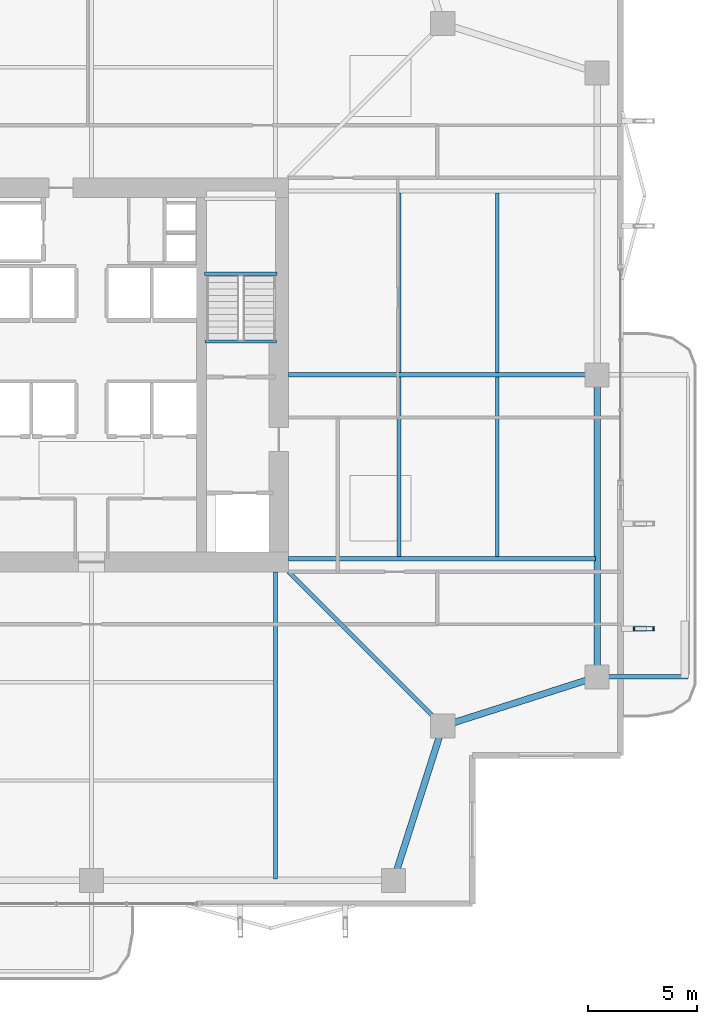
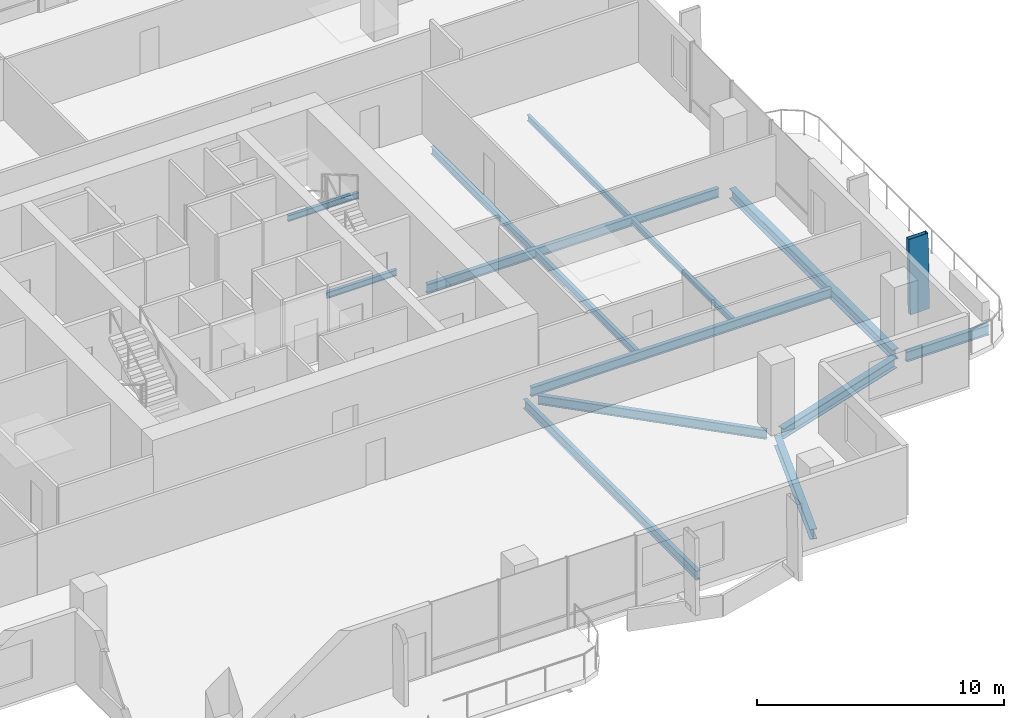
# One storey, part 9 of 25: 14 beams, 1 member.
"""IFC4 building model written with IfcOpenShell, lengths in metres."""

import ifcopenshell
import ifcopenshell.guid

model = None  # the IFC model being written
_history = None  # IfcOwnerHistory: only IFC2X3 demands one
_inside = {}  # id of a spatial element -> (the spatial element, [elements in it])
_under = {}  # id of a project, library or spatial element -> (it, [spatial elements below it])
_declared = {}  # id of a project -> (the project, [libraries it declares])
_typed = {}  # id of a type object -> (the type object, [elements of that type])
_made_of = {}  # id of a material, layer set ... -> (it, [elements and type objects made of it])


def new_model(schema):
    """Start an empty IFC model of exactly this schema.

    Asked for "IFC4X3", IfcOpenShell would pick the latest addendum, in which some entities
    have other attributes; the version numbers below select the first issue.
    IFC2X3 requires an IfcOwnerHistory on every rooted entity: one is made here for all.
    """
    global model, _history
    if schema == "IFC4X3":
        model = ifcopenshell.file(schema_version=(4, 3, 0, 0))
    else:
        model = ifcopenshell.file(schema=schema)
    _inside.clear()
    _under.clear()
    _declared.clear()
    _typed.clear()
    _made_of.clear()
    _history = None
    if model.schema == "IFC2X3":
        org = make("IfcOrganization", Name="unknown")
        user = make(
            "IfcPersonAndOrganization",
            ThePerson=make("IfcPerson", FamilyName="unknown"),
            TheOrganization=org,
        )
        app = make(
            "IfcApplication",
            ApplicationDeveloper=org,
            Version="unknown",
            ApplicationFullName="unknown",
            ApplicationIdentifier="unknown",
        )
        _history = make(
            "IfcOwnerHistory",
            OwningUser=user,
            OwningApplication=app,
            ChangeAction="ADDED",
            CreationDate=0,
        )
    return model


def make(cls, **values):
    """One entity of the class cls with the attributes given. An attribute that is None is left unset."""
    return model.create_entity(
        cls, **{name: value for name, value in values.items() if value is not None}
    )


def rooted(cls, **values):
    """An entity with a GlobalId (a new one), such as an element, a storey or a relation."""
    return make(cls, GlobalId=ifcopenshell.guid.new(), OwnerHistory=_history, **values)


def si_unit(unit_type, name, prefix=None):
    """IfcSIUnit, for example si_unit("LENGTHUNIT", "METRE", prefix="MILLI")."""
    return make("IfcSIUnit", UnitType=unit_type, Prefix=prefix, Name=name)


def assignment(units):
    """IfcUnitAssignment: the units of a project."""
    return None if units is None else make("IfcUnitAssignment", Units=units)


def point(xyz):
    """IfcCartesianPoint."""
    return None if xyz is None else make("IfcCartesianPoint", Coordinates=xyz)


def direction(xyz):
    """IfcDirection."""
    return None if xyz is None else make("IfcDirection", DirectionRatios=xyz)


def frame(location, z_axis=None, x_axis=None):
    """IfcAxis2Placement3D, a coordinate frame: its origin and axes. An axis left out is left unset."""
    return make(
        "IfcAxis2Placement3D",
        Location=point(location),
        Axis=direction(z_axis),
        RefDirection=direction(x_axis),
    )


def frame_2d(location, x_axis=None):
    """IfcAxis2Placement2D, a coordinate frame in the plane: its origin and x axis."""
    return make(
        "IfcAxis2Placement2D", Location=point(location), RefDirection=direction(x_axis)
    )


def origin():
    """The frame at (0, 0, 0) with its axes left unset."""
    return frame((0.0, 0.0, 0.0))


def origin_2d():
    """The frame at (0, 0) in the plane with its x axis left unset."""
    return frame_2d((0.0, 0.0))


def place(relative_to, where):
    """IfcLocalPlacement: puts the frame where relative to a parent placement (None: the world)."""
    return make(
        "IfcLocalPlacement", PlacementRelTo=relative_to, RelativePlacement=where
    )


def context(
    kind, dimensions, precision=None, world=None, true_north=None, identifier=None
):
    """IfcGeometricRepresentationContext, for example the 3D "Model" context."""
    return make(
        "IfcGeometricRepresentationContext",
        ContextIdentifier=identifier,
        ContextType=kind,
        CoordinateSpaceDimension=dimensions,
        Precision=precision,
        WorldCoordinateSystem=world,
        TrueNorth=true_north,
    )


def subcontext(parent, identifier, kind, view, scale=None):
    """IfcGeometricRepresentationSubContext, for example "Body" below "Model"."""
    return make(
        "IfcGeometricRepresentationSubContext",
        ContextIdentifier=identifier,
        ContextType=kind,
        ParentContext=parent,
        TargetScale=scale,
        TargetView=view,
    )


def project(units=None, contexts=None):
    """IfcProject with its units and contexts."""
    return rooted(
        "IfcProject",
        Name="project",
        RepresentationContexts=contexts,
        UnitsInContext=assignment(units),
    )


def spatial(cls, under=None, at=None, **own):
    """A site, building, storey or space (cls), placed at a placement, below another one or the project."""
    s = rooted(cls, ObjectPlacement=at, **own)
    if under is not None:
        _under.setdefault(under.id(), (under, []))[1].append(s)
    return s


def profile(cls, at=None, kind="AREA", **sizes):
    """A parametric profile (cls). Its sizes go by their IFC names, for example OverallWidth=200.0."""
    return make(cls, ProfileType=kind, Position=at, **sizes)


def hollow_rectangle(**sizes):
    """IfcRectangleHollowProfileDef."""
    return profile("IfcRectangleHollowProfileDef", **sizes)


def i_section(**sizes):
    """IfcIShapeProfileDef."""
    return profile("IfcIShapeProfileDef", **sizes)


def extrude(swept, where, along, depth):
    """IfcExtrudedAreaSolid: the profile swept, set in the frame where, extruded along a direction by depth."""
    return make(
        "IfcExtrudedAreaSolid",
        SweptArea=swept,
        Position=where,
        ExtrudedDirection=direction(along),
        Depth=depth,
    )


def shape(context_of_items, identifier, shape_type, items):
    """IfcShapeRepresentation: the items that make up one representation, for example the "Body"."""
    return make(
        "IfcShapeRepresentation",
        ContextOfItems=context_of_items,
        RepresentationIdentifier=identifier,
        RepresentationType=shape_type,
        Items=items,
    )


def material(Name=None, Category=None):
    """IfcMaterial."""
    return make("IfcMaterial", Name=Name, Category=Category)


def material_profile(
    of_material, cross_section, Name=None, Category=None, Priority=None
):
    """IfcMaterialProfile: a cross section and its material."""
    return make(
        "IfcMaterialProfile",
        Name=Name,
        Material=of_material,
        Profile=cross_section,
        Priority=Priority,
        Category=Category,
    )


def profile_set(profiles, Name=None, composite=None):
    """IfcMaterialProfileSet."""
    return make(
        "IfcMaterialProfileSet",
        Name=Name,
        MaterialProfiles=profiles,
        CompositeProfile=composite,
    )


def made_of(thing, what):
    """Note that an element or type object is made of a material, layer set ...; save() writes the relation."""
    if what is not None:
        _made_of.setdefault(what.id(), (what, []))[1].append(thing)
    return thing


def type_object(cls, material=None, **own):
    """A type object (cls), such as IfcWallType, which elements share."""
    return made_of(rooted(cls, **own), material)


def element(
    cls,
    number,
    at=None,
    inside=None,
    cuts=None,
    type_object=None,
    material=None,
    context=None,
    identifier="Body",
    shape_type=None,
    held_by="IfcProductDefinitionShape",
    body=None,
    shapes=None,
    **own,
):
    """One element of the class cls, such as IfcWall. Its Tag is "e" and its number.

    at: its placement. inside: the storey or other place that contains it. cuts: it is an
    opening in that element (IfcRelVoidsElement). A single representation is given by context,
    identifier, shape_type and body (its items); several are given by shapes. held_by: the class
    of the entity that holds the representations. save() writes the other relations.
    """
    e = rooted(cls, Tag="e%d" % number, ObjectPlacement=at, **own)
    if body is not None:
        shapes = [shape(context, identifier, shape_type, body)]
    if shapes is not None:
        e.Representation = make(held_by, Representations=shapes)
    if inside is not None:
        _inside.setdefault(inside.id(), (inside, []))[1].append(e)
    if cuts is not None:
        rooted(
            "IfcRelVoidsElement", RelatingBuildingElement=cuts, RelatedOpeningElement=e
        )
    if type_object is not None:
        _typed.setdefault(type_object.id(), (type_object, []))[1].append(e)
    return made_of(e, material)


def aggregate(whole, parts):
    """IfcRelAggregates: a whole, such as a stair, and the parts it consists of."""
    return rooted("IfcRelAggregates", RelatingObject=whole, RelatedObjects=parts)


def save(model, path):
    """Write the relations noted so far, then the file.

    IfcRelAggregates (storeys below a building ...), IfcRelContainedInSpatialStructure (elements
    in a storey), IfcRelDefinesByType, IfcRelAssociatesMaterial and IfcRelDeclares: one each for
    every whole, place, type object, material and project.
    """
    for whole, parts in _under.values():
        aggregate(whole, parts)
    for where, things in _inside.values():
        rooted(
            "IfcRelContainedInSpatialStructure",
            RelatedElements=things,
            RelatingStructure=where,
        )
    for kind, things in _typed.values():
        rooted("IfcRelDefinesByType", RelatedObjects=things, RelatingType=kind)
    for what, things in _made_of.values():
        rooted("IfcRelAssociatesMaterial", RelatedObjects=things, RelatingMaterial=what)
    for by, libraries in _declared.values():
        rooted("IfcRelDeclares", RelatingContext=by, RelatedDefinitions=libraries)
    model.write(path)


model = new_model("IFC4")

# Units and contexts
model_context = context("Model", 3, precision=1e-05, world=origin(), true_north=direction((0.0, 1.0)))
body_context = subcontext(model_context, "Body", "Model", "MODEL_VIEW")
ifc_project = project(units=[si_unit("LENGTHUNIT", "METRE"), si_unit("AREAUNIT", "SQUARE_METRE"), si_unit("VOLUMEUNIT", "CUBIC_METRE"), si_unit("PLANEANGLEUNIT", "RADIAN"), si_unit("MASSUNIT", "GRAM", prefix="KILO")], contexts=[model_context])

# Site, building, storey
site_placement = place(None, origin())
site = spatial("IfcSite", under=ifc_project, at=site_placement, CompositionType="ELEMENT")
building_placement = place(site_placement, origin())
building = spatial("IfcBuilding", under=site, at=building_placement, Name="Belovzor Exchange Tower", CompositionType="ELEMENT")
storey_placement = place(building_placement, frame((0.0, 0.0, 172.050048828125)))
storey = spatial("IfcBuildingStorey", under=building, at=storey_placement, Name="L42", CompositionType="ELEMENT", Elevation=172.050048828125)

# Beams
ifc_material_1 = material(Name="Steel S355", Category="steel")
ifc_material_profile_1 = material_profile(ifc_material_1, i_section(OverallWidth=0.199951171875, OverallDepth=0.5, WebThickness=0.01025390625, FlangeThickness=0.01611328125, at=origin_2d()))
ifc_profile_set_1 = profile_set([ifc_material_profile_1], Name="Steel S355")
beam_type_1 = type_object("IfcBeamType", Name="Planted Balcony Cantilever Beam IPE 500", PredefinedType="BEAM", material=ifc_profile_set_1)
beam_1_placement = place(storey_placement, frame((52.202880859375, 15.0, -0.505126953125), z_axis=(1.0, 0.0, 0.0), x_axis=(0.0, 1.0, 0.0)))
element("IfcBeam", 1, at=beam_1_placement, inside=storey, type_object=beam_type_1, Name="BC-500 Planted Balcony Cantilever Beam IPE 500", PredefinedType="BEAM", context=body_context, shape_type="SweptSolid", body=[
    extrude(i_section(OverallWidth=0.199951171875, OverallDepth=0.5, WebThickness=0.01025390625, FlangeThickness=0.01611328125, at=origin_2d()), origin(), (0.0, 0.0, 1.0), 3.85009765625),
])
ifc_material_2 = material(Name="Steel S355", Category="steel")
ifc_material_profile_2 = material_profile(ifc_material_2, i_section(OverallWidth=0.169921875, OverallDepth=0.360107421875, WebThickness=0.008056640625, FlangeThickness=0.0126953125, at=origin_2d()))
ifc_profile_set_2 = profile_set([ifc_material_profile_2], Name="Steel S355")
beam_type_2 = type_object("IfcBeamType", Name="Secondary Infill Floor Joist IPE 360", PredefinedType="BEAM", material=ifc_profile_set_2)
for number, where, z_axis, x_axis, name in (
    (2, (42.84912109375, 20.4951171875, -0.43505859375), (0.0, 1.0, 0.0), (-1.0, 0.0, 0.0), "FJ-360 Secondary Infill Floor Joist IPE 360"),
    (3, (42.84912109375, 28.89501953125, -0.43505859375), (0.0, 1.0, 0.0), (-1.0, 0.0, 0.0), "FJ-360 Secondary Infill Floor Joist IPE 360"),
):
    element("IfcBeam", number, at=place(storey_placement, frame(where, z_axis=z_axis, x_axis=x_axis)), inside=storey, type_object=beam_type_2, Name=name, PredefinedType="BEAM", context=body_context, shape_type="SweptSolid", body=[
        extrude(i_section(OverallWidth=0.169921875, OverallDepth=0.360107421875, WebThickness=0.008056640625, FlangeThickness=0.0126953125, at=origin_2d()), origin(), (0.0, 0.0, 1.0), 8.2099609375),
    ])
ifc_material_3 = material(Name="Steel S355", Category="steel")
ifc_material_profile_3 = material_profile(ifc_material_3, i_section(OverallWidth=0.14990234375, OverallDepth=0.300048828125, WebThickness=0.007080078125, FlangeThickness=0.0107421875, at=origin_2d()))
ifc_profile_set_3 = profile_set([ifc_material_profile_3], Name="Steel S355")
beam_type_3 = type_object("IfcBeamType", Name="Secondary Trim Floor Joist IPE 300", PredefinedType="BEAM", material=ifc_profile_set_3)
beam_2_placement = place(storey_placement, frame((37.280029296875, 33.419921875, 1.52490234375), z_axis=(-1.0, 0.0, 0.0), x_axis=(0.0, -1.0, 0.0)))
element("IfcBeam", 4, at=beam_2_placement, inside=storey, type_object=beam_type_3, Name="FJ-300 Secondary Trim Floor Joist IPE 300", PredefinedType="BEAM", context=body_context, shape_type="SweptSolid", body=[
    extrude(i_section(OverallWidth=0.14990234375, OverallDepth=0.300048828125, WebThickness=0.007080078125, FlangeThickness=0.0107421875, at=origin_2d()), origin(), (0.0, 0.0, 1.0), 3.31005859375),
])
beam_3_placement = place(storey_placement, frame((37.260009765625, 30.320068359375, -0.405029296875), z_axis=(-1.0, 0.0, 0.0), x_axis=(0.0, -1.0, 0.0)))
element("IfcBeam", 5, at=beam_3_placement, inside=storey, type_object=beam_type_3, Name="FJ-300 Secondary Trim Floor Joist IPE 300", PredefinedType="BEAM", context=body_context, shape_type="SweptSolid", body=[
    extrude(i_section(OverallWidth=0.14990234375, OverallDepth=0.300048828125, WebThickness=0.007080078125, FlangeThickness=0.0107421875, at=origin_2d()), origin(), (0.0, 0.0, 1.0), 3.27001953125),
])
for number, where, z_axis, x_axis, name in (
    (6, (47.3369140625, 20.4951171875, -0.405029296875), (0.0, 1.0, 0.0), (-1.0, 0.0, 0.0), "FJ-300 Secondary Trim Floor Joist IPE 300"),
    (7, (47.3369140625, 28.89501953125, -0.405029296875), (0.0, 1.0, 0.0), (-1.0, 0.0, 0.0), "FJ-300 Secondary Trim Floor Joist IPE 300"),
):
    element("IfcBeam", number, at=place(storey_placement, frame(where, z_axis=z_axis, x_axis=x_axis)), inside=storey, type_object=beam_type_3, Name=name, PredefinedType="BEAM", context=body_context, shape_type="SweptSolid", body=[
        extrude(i_section(OverallWidth=0.14990234375, OverallDepth=0.300048828125, WebThickness=0.007080078125, FlangeThickness=0.0107421875, at=origin_2d()), origin(), (0.0, 0.0, 1.0), 8.2099609375),
    ])

# Member
ifc_material_4 = material(Name="Extruded Architectural Terracotta on Steel S355 Carrier", Category="masonry")
ifc_material_profile_4 = material_profile(ifc_material_4, hollow_rectangle(XDim=0.199951171875, YDim=0.89990234375, WallThickness=0.011962890625, at=origin_2d()))
ifc_profile_set_4 = profile_set([ifc_material_profile_4], Name="Extruded Architectural Terracotta on Steel S355 Carrier")
member_type = type_object("IfcMemberType", Name="Sweeping Terracotta Baguette Fin Assembly 1250", PredefinedType="USERDEFINED", material=ifc_profile_set_4)
member_placement = place(storey_placement, frame((54.0810546875, 17.199951171875, -0.255126953125), z_axis=(-0.018681635002, 0.0, 0.999825483029), x_axis=(0.0, -1.0, 0.0)))
element("IfcMember", 8, at=member_placement, inside=storey, type_object=member_type, Name="FIN-TC125 Terracotta Facade Fin L42 E1", ObjectType="FIN", PredefinedType="USERDEFINED", context=body_context, shape_type="SweptSolid", body=[
    extrude(hollow_rectangle(XDim=0.199951171875, YDim=0.89990234375, WallThickness=0.011962890625, at=origin_2d()), origin(), (0.0, 0.0, 1.0), 3.750732421875),
])

# Beams
ifc_material_5 = material(Name="Steel S355", Category="steel")
ifc_material_profile_5 = material_profile(ifc_material_5, i_section(OverallWidth=0.18994140625, OverallDepth=0.449951171875, WebThickness=0.009521484375, FlangeThickness=0.0146484375, at=origin_2d()))
ifc_profile_set_5 = profile_set([ifc_material_profile_5], Name="Steel S355")
beam_type_4 = type_object("IfcBeamType", Name="Zone 2-4 Radial Composite Floor Beam IPE 450", PredefinedType="BEAM", material=ifc_profile_set_5)
beam_4_placement = place(storey_placement, frame((37.199951171875, 19.800048828125, -0.47998046875), z_axis=(0.0, -1.0, 0.0), x_axis=(1.0, 0.0, 0.0)))
element("IfcBeam", 9, at=beam_4_placement, inside=storey, type_object=beam_type_4, Name="FB-450 Zone 2-4 Radial Composite Floor Beam IPE 450", PredefinedType="BEAM", context=body_context, shape_type="SweptSolid", body=[
    extrude(i_section(OverallWidth=0.18994140625, OverallDepth=0.449951171875, WebThickness=0.009521484375, FlangeThickness=0.0146484375, at=origin_2d()), origin(), (0.0, 0.0, 1.0), 14.025146484375),
])
beam_5_placement = place(storey_placement, frame((37.800048828125, 20.39990234375, -0.47998046875), z_axis=(1.0, 0.0, 0.0), x_axis=(0.0, 1.0, 0.0)))
element("IfcBeam", 10, at=beam_5_placement, inside=storey, type_object=beam_type_4, Name="FB-450 Zone 2-4 Radial Composite Floor Beam IPE 450", PredefinedType="BEAM", context=body_context, shape_type="SweptSolid", body=[
    extrude(i_section(OverallWidth=0.18994140625, OverallDepth=0.449951171875, WebThickness=0.009521484375, FlangeThickness=0.0146484375, at=origin_2d()), origin(), (0.0, 0.0, 1.0), 14.02490234375),
])
beam_6_placement = place(storey_placement, frame((37.800048828125, 28.800048828125, -0.47998046875), z_axis=(1.0, 0.0, 0.0), x_axis=(0.0, 1.0, 0.0)))
element("IfcBeam", 11, at=beam_6_placement, inside=storey, type_object=beam_type_4, Name="FB-450 Zone 2-4 Radial Composite Floor Beam IPE 450", PredefinedType="BEAM", context=body_context, shape_type="SweptSolid", body=[
    extrude(i_section(OverallWidth=0.18994140625, OverallDepth=0.449951171875, WebThickness=0.009521484375, FlangeThickness=0.0146484375, at=origin_2d()), origin(), (0.0, 0.0, 1.0), 13.615966796875),
])
beam_7_placement = place(storey_placement, frame((37.800048828125, 19.800048828125, -0.47998046875), z_axis=(0.707094040639, -0.707119521505, 0.0), x_axis=(0.707119521505, 0.707094040639, 0.0)))
element("IfcBeam", 12, at=beam_7_placement, inside=storey, type_object=beam_type_4, Name="FB-450 Zone 2-4 Radial Composite Floor Beam IPE 450", PredefinedType="BEAM", context=body_context, shape_type="SweptSolid", body=[
    extrude(i_section(OverallWidth=0.18994140625, OverallDepth=0.449951171875, WebThickness=0.009521484375, FlangeThickness=0.0146484375, at=origin_2d()), origin(), (0.0, 0.0, 1.0), 9.581298828125),
])
ifc_material_6 = material(Name="Steel S355", Category="steel")
ifc_material_profile_6 = material_profile(ifc_material_6, i_section(OverallWidth=0.300048828125, OverallDepth=0.5, WebThickness=0.014404296875, FlangeThickness=0.028076171875, at=origin_2d()))
ifc_profile_set_6 = profile_set([ifc_material_profile_6], Name="Steel S355")
beam_type_5 = type_object("IfcBeamType", Name="Zone 3 Waist Primary Girder HEB 500", PredefinedType="BEAM", material=ifc_profile_set_6)
for number, where, z_axis, x_axis, name in (
    (13, (42.69189453125, 5.988037109375, -0.505126953125), (0.304044336164, 0.952657882792, 0.0), (-0.952657882792, 0.304044336164, 0.0), "FG-Z3 Zone 3 Waist Primary Girder HEB 500"),
    (14, (45.137939453125, 12.842041015625, -0.505126953125), (0.952671608699, 0.304001325621, 0.0), (-0.304001325621, 0.952671608699, 0.0), "FG-Z3 Zone 3 Waist Primary Girder HEB 500"),
):
    element("IfcBeam", number, at=place(storey_placement, frame(where, z_axis=z_axis, x_axis=x_axis)), inside=storey, type_object=beam_type_5, Name=name, PredefinedType="BEAM", context=body_context, shape_type="SweptSolid", body=[
        extrude(i_section(OverallWidth=0.300048828125, OverallDepth=0.5, WebThickness=0.014404296875, FlangeThickness=0.028076171875, at=origin_2d()), origin(), (0.0, 0.0, 1.0), 6.795654296875),
    ])
beam_8_placement = place(storey_placement, frame((51.89990234375, 15.302978515625, -0.505126953125), z_axis=(0.0, 1.0, 0.0), x_axis=(-1.0, 0.0, 0.0)))
element("IfcBeam", 15, at=beam_8_placement, inside=storey, type_object=beam_type_5, Name="FG-Z3 Zone 3 Waist Primary Girder HEB 500", PredefinedType="BEAM", context=body_context, shape_type="SweptSolid", body=[
    extrude(i_section(OverallWidth=0.300048828125, OverallDepth=0.5, WebThickness=0.014404296875, FlangeThickness=0.028076171875, at=origin_2d()), origin(), (0.0, 0.0, 1.0), 13.195068359375),
])

save(model, "model.ifc")
